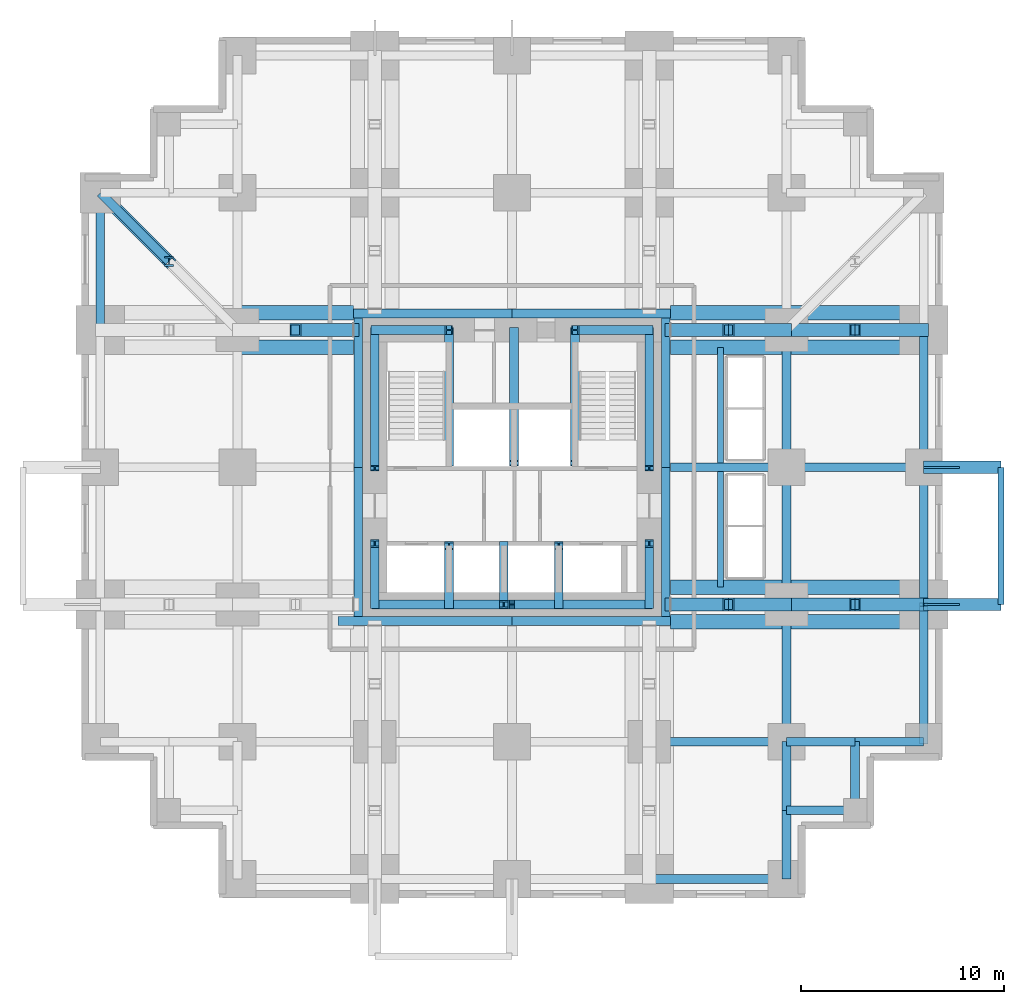
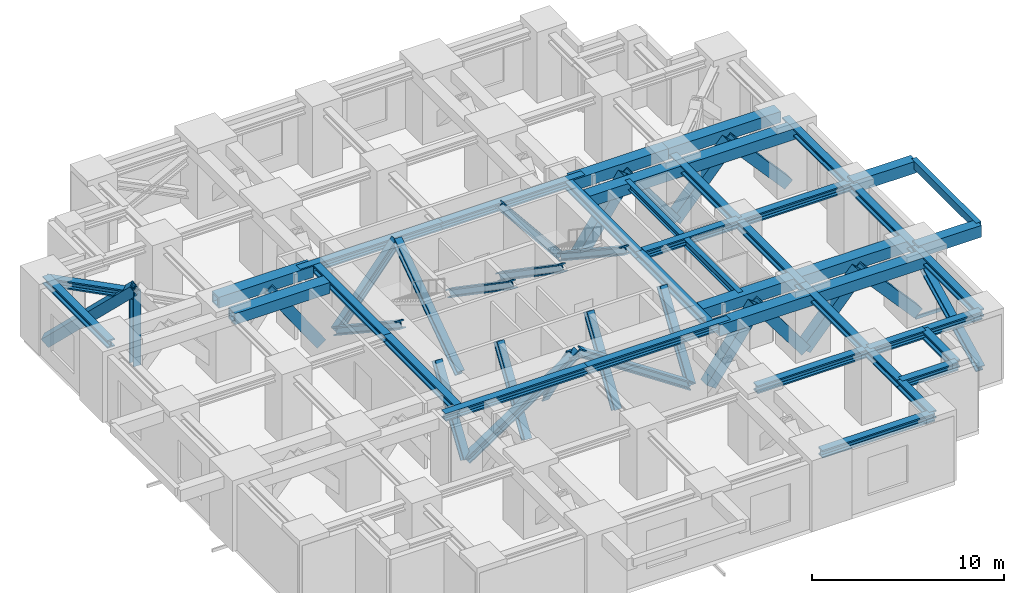
# One storey, part 2 of 6: 40 beams, 29 members.
"""IFC4 building model written with IfcOpenShell, lengths in metres."""

from ifc_helpers import new_model, si_unit, direction, frame, origin, origin_2d, place, context, subcontext, project, spatial, rectangle, hollow_rectangle, i_section, extrude, material, material_profile, profile_set, type_object, element, save


model = new_model("IFC4")

# Units and contexts
model_context = context("Model", 3, precision=1e-05, world=origin(), true_north=direction((0.0, 1.0)))
body_context = subcontext(model_context, "Body", "Model", "MODEL_VIEW")
ifc_project = project(units=[si_unit("LENGTHUNIT", "METRE"), si_unit("AREAUNIT", "SQUARE_METRE"), si_unit("VOLUMEUNIT", "CUBIC_METRE"), si_unit("PLANEANGLEUNIT", "RADIAN"), si_unit("MASSUNIT", "GRAM", prefix="KILO")], contexts=[model_context])

# Site, building, storey
site_placement = place(None, origin())
site = spatial("IfcSite", under=ifc_project, at=site_placement, CompositionType="ELEMENT")
building_placement = place(site_placement, origin())
building = spatial("IfcBuilding", under=site, at=building_placement, Name="Nyansa Garden Tower", CompositionType="ELEMENT")
storey_placement = place(building_placement, frame((0.0, 0.0, 75.60009765625)))
storey = spatial("IfcBuildingStorey", under=building, at=storey_placement, Name="L20", CompositionType="ELEMENT", Elevation=75.60009765625)

# Beams
ifc_material_1 = material(Name="Concrete C70/85", Category="concrete")
ifc_material_profile_1 = material_profile(ifc_material_1, rectangle(XDim=0.60009765625, YDim=0.75, at=origin_2d()), Name="RC 600x750")
ifc_profile_set_1 = profile_set([ifc_material_profile_1], Name="Concrete C70/85")
beam_type_1 = type_object("IfcBeamType", Name="Balcony cantilever beam CB1 RC 600x750", PredefinedType="BEAM", material=ifc_profile_set_1)
for number, where, z_axis, x_axis, name in (
    (1, (40.5, 13.5, 3.885009765625), (1.0, 0.0, 0.0), (0.0, 1.0, 0.0), "Balcony cantilever beam L21"),
    (2, (40.5, 20.25, 3.885009765625), (1.0, 0.0, 0.0), (0.0, 1.0, 0.0), "Balcony cantilever beam L21"),
):
    element("IfcBeam", number, at=place(storey_placement, frame(where, z_axis=z_axis, x_axis=x_axis)), inside=storey, type_object=beam_type_1, Name=name, PredefinedType="BEAM", context=body_context, shape_type="SweptSolid", body=[
        extrude(rectangle(XDim=0.60009765625, YDim=0.75, at=origin_2d()), origin(), (0.0, 0.0, 1.0), 3.800048828125),
    ])
ifc_material_2 = material(Name="Concrete C70/85", Category="concrete")
ifc_material_profile_2 = material_profile(ifc_material_2, rectangle(XDim=0.300048828125, YDim=0.5, at=origin_2d()), Name="RC 300x500")
ifc_profile_set_2 = profile_set([ifc_material_profile_2], Name="Concrete C70/85")
beam_type_2 = type_object("IfcBeamType", Name="Balcony edge beam BE1 RC 300x500", PredefinedType="BEAM", material=ifc_profile_set_2)
beam_1_placement = place(storey_placement, frame((44.300048828125, 13.5, 4.010009765625), z_axis=(0.0, 1.0, 0.0), x_axis=(-1.0, 0.0, 0.0)))
element("IfcBeam", 3, at=beam_1_placement, inside=storey, type_object=beam_type_2, Name="Balcony edge beam L21", PredefinedType="BEAM", context=body_context, shape_type="SweptSolid", body=[
    extrude(rectangle(XDim=0.300048828125, YDim=0.5, at=origin_2d()), origin(), (0.0, 0.0, 1.0), 6.75),
])

# Members
ifc_material_3 = material(Name="Steel S355, black powder coated", Category="steel")
ifc_material_profile_3 = material_profile(ifc_material_3, hollow_rectangle(XDim=0.10009765625, YDim=0.199951171875, WallThickness=0.008056640625, at=origin_2d()), Name="RHS 200x100x8")
ifc_profile_set_3 = profile_set([ifc_material_profile_3], Name="Steel S355, black powder coated")
member_type_1 = type_object("IfcMemberType", Name="Outer skin bracket arm RHS 200x100x8", PredefinedType="USERDEFINED", material=ifc_profile_set_3)
for number, where, z_axis, x_axis, name in (
    (4, (40.5, 13.5, -0.4501953125), (1.0, 0.0, 0.0), (0.0, 1.0, 0.0), "Outer skin bracket arm"),
    (5, (40.5, 20.25, -0.4501953125), (1.0, 0.0, 0.0), (0.0, 1.0, 0.0), "Outer skin bracket arm"),
):
    element("IfcMember", number, at=place(storey_placement, frame(where, z_axis=z_axis, x_axis=x_axis)), inside=storey, type_object=member_type_1, Name=name, ObjectType="OUTER SKIN BRACKET", PredefinedType="USERDEFINED", context=body_context, shape_type="SweptSolid", body=[
        extrude(hollow_rectangle(XDim=0.10009765625, YDim=0.199951171875, WallThickness=0.008056640625, at=origin_2d()), origin(), (0.0, 0.0, 1.0), 1.75),
    ])

# Beams
ifc_material_4 = material(Name="Steel S355", Category="steel")
ifc_material_profile_4 = material_profile(ifc_material_4, hollow_rectangle(XDim=0.699951171875, YDim=0.699951171875, WallThickness=0.110107421875, at=origin_2d()), Name="Welded box 700x700x110")
ifc_profile_set_4 = profile_set([ifc_material_profile_4], Name="Steel S355")
beam_type_3 = type_object("IfcBeamType", Name="Outrigger chord OC2 welded box 700x700x110 S355", PredefinedType="BEAM", material=ifc_profile_set_4)
for number, where, z_axis, x_axis, name in (
    (6, (6.75, 27.85009765625, 3.7998046875), (1.0, 0.0, 0.0), (0.0, 1.0, 0.0), "Beam 3/H-12.450/H L21 a"),
    (7, (6.75, 26.14990234375, 3.7998046875), (1.0, 0.0, 0.0), (0.0, 1.0, 0.0), "Beam 3/H-12.450/H L21 b"),
    (8, (28.050048828125, 14.35009765625, 3.7998046875), (1.0, 0.0, 0.0), (0.0, 1.0, 0.0), "Beam 28.050/F-7/F L21 a"),
    (9, (28.050048828125, 12.64990234375, 3.7998046875), (1.0, 0.0, 0.0), (0.0, 1.0, 0.0), "Beam 28.050/F-7/F L21 b"),
    (10, (28.050048828125, 27.85009765625, 3.7998046875), (1.0, 0.0, 0.0), (0.0, 1.0, 0.0), "Beam 28.050/H-7/H L21 a"),
    (11, (28.050048828125, 26.14990234375, 3.7998046875), (1.0, 0.0, 0.0), (0.0, 1.0, 0.0), "Beam 28.050/H-7/H L21 b"),
):
    element("IfcBeam", number, at=place(storey_placement, frame(where, z_axis=z_axis, x_axis=x_axis)), inside=storey, type_object=beam_type_3, Name=name, PredefinedType="BEAM", context=body_context, shape_type="SweptSolid", body=[
        extrude(hollow_rectangle(XDim=0.699951171875, YDim=0.699951171875, WallThickness=0.110107421875, at=origin_2d()), origin(), (0.0, 0.0, 1.0), 5.699951171875),
    ])
for number, where, z_axis, x_axis, name in (
    (12, (33.75, 14.35009765625, 3.7998046875), (1.0, 0.0, 0.0), (0.0, 1.0, 0.0), "Beam 7/F-8/F L21 a"),
    (13, (33.75, 12.64990234375, 3.7998046875), (1.0, 0.0, 0.0), (0.0, 1.0, 0.0), "Beam 7/F-8/F L21 b"),
    (14, (33.75, 27.85009765625, 3.7998046875), (1.0, 0.0, 0.0), (0.0, 1.0, 0.0), "Beam 7/H-8/H L21 a"),
    (15, (33.75, 26.14990234375, 3.7998046875), (1.0, 0.0, 0.0), (0.0, 1.0, 0.0), "Beam 7/H-8/H L21 b"),
):
    element("IfcBeam", number, at=place(storey_placement, frame(where, z_axis=z_axis, x_axis=x_axis)), inside=storey, type_object=beam_type_3, Name=name, PredefinedType="BEAM", context=body_context, shape_type="SweptSolid", body=[
        extrude(hollow_rectangle(XDim=0.699951171875, YDim=0.699951171875, WallThickness=0.110107421875, at=origin_2d()), origin(), (0.0, 0.0, 1.0), 6.75),
    ])

# Members
ifc_material_5 = material(Name="Steel S355", Category="steel")
ifc_material_profile_5 = material_profile(ifc_material_5, hollow_rectangle(XDim=0.64990234375, YDim=0.64990234375, WallThickness=0.070068359375, at=origin_2d()), Name="Welded box 650x650x70")
ifc_profile_set_5 = profile_set([ifc_material_profile_5], Name="Steel S355")
member_type_2 = type_object("IfcMemberType", Name="Outrigger truss diagonal OT3 welded box 650x650x70 S355", PredefinedType="BRACE", material=ifc_profile_set_5)
for number, where, z_axis, x_axis, name in (
    (16, (12.449951171875, 27.0, -0.300048828125), (-0.570765031225, 0.0, 0.82111343865), (0.0, -1.0, 0.0), "Outrigger truss diagonal L20 6.2b"),
    (17, (28.050048828125, 13.5, -0.300048828125), (0.570765031225, 0.0, 0.82111343865), (0.0, 1.0, 0.0), "Outrigger truss diagonal L20 7.1a"),
):
    element("IfcMember", number, at=place(storey_placement, frame(where, z_axis=z_axis, x_axis=x_axis)), inside=storey, type_object=member_type_2, Name=name, PredefinedType="BRACE", context=body_context, shape_type="SweptSolid", body=[
        extrude(hollow_rectangle(XDim=0.64990234375, YDim=0.64990234375, WallThickness=0.070068359375, at=origin_2d()), origin(), (0.0, 0.0, 1.0), 4.992919921875),
    ])
member_1_placement = place(storey_placement, frame((33.75, 13.5, 0.0), z_axis=(-0.600032894906, 0.0, 0.799975327764), x_axis=(0.0, -1.0, 0.0)))
element("IfcMember", 18, at=member_1_placement, inside=storey, type_object=member_type_2, Name="Outrigger truss diagonal L20 7.1b", PredefinedType="BRACE", context=body_context, shape_type="SweptSolid", body=[
    extrude(hollow_rectangle(XDim=0.64990234375, YDim=0.64990234375, WallThickness=0.070068359375, at=origin_2d()), origin(), (0.0, 0.0, 1.0), 4.75),
])
for number, where, z_axis, x_axis, name in (
    (19, (33.75, 13.5, 0.0), (0.664077549785, 0.0, 0.747663699715), (0.0, 1.0, 0.0), "Outrigger truss diagonal L20 7.2a"),
    (20, (40.5, 13.5, 0.0), (-0.664077549785, 0.0, 0.747663699715), (0.0, -1.0, 0.0), "Outrigger truss diagonal L20 7.2b"),
):
    element("IfcMember", number, at=place(storey_placement, frame(where, z_axis=z_axis, x_axis=x_axis)), inside=storey, type_object=member_type_2, Name=name, PredefinedType="BRACE", context=body_context, shape_type="SweptSolid", body=[
        extrude(hollow_rectangle(XDim=0.64990234375, YDim=0.64990234375, WallThickness=0.070068359375, at=origin_2d()), origin(), (0.0, 0.0, 1.0), 5.082275390625),
    ])
member_2_placement = place(storey_placement, frame((28.050048828125, 27.0, -0.300048828125), z_axis=(0.570765031225, 0.0, 0.82111343865), x_axis=(0.0, 1.0, 0.0)))
element("IfcMember", 21, at=member_2_placement, inside=storey, type_object=member_type_2, Name="Outrigger truss diagonal L20 8.1a", PredefinedType="BRACE", context=body_context, shape_type="SweptSolid", body=[
    extrude(hollow_rectangle(XDim=0.64990234375, YDim=0.64990234375, WallThickness=0.070068359375, at=origin_2d()), origin(), (0.0, 0.0, 1.0), 4.992919921875),
])
member_3_placement = place(storey_placement, frame((33.75, 27.0, 0.0), z_axis=(-0.600032894906, 0.0, 0.799975327764), x_axis=(0.0, -1.0, 0.0)))
element("IfcMember", 22, at=member_3_placement, inside=storey, type_object=member_type_2, Name="Outrigger truss diagonal L20 8.1b", PredefinedType="BRACE", context=body_context, shape_type="SweptSolid", body=[
    extrude(hollow_rectangle(XDim=0.64990234375, YDim=0.64990234375, WallThickness=0.070068359375, at=origin_2d()), origin(), (0.0, 0.0, 1.0), 4.75),
])
for number, where, z_axis, x_axis, name in (
    (23, (33.75, 27.0, 0.0), (0.664077549785, 0.0, 0.747663699715), (0.0, 1.0, 0.0), "Outrigger truss diagonal L20 8.2a"),
    (24, (40.5, 27.0, 0.0), (-0.664077549785, 0.0, 0.747663699715), (0.0, -1.0, 0.0), "Outrigger truss diagonal L20 8.2b"),
):
    element("IfcMember", number, at=place(storey_placement, frame(where, z_axis=z_axis, x_axis=x_axis)), inside=storey, type_object=member_type_2, Name=name, PredefinedType="BRACE", context=body_context, shape_type="SweptSolid", body=[
        extrude(hollow_rectangle(XDim=0.64990234375, YDim=0.64990234375, WallThickness=0.070068359375, at=origin_2d()), origin(), (0.0, 0.0, 1.0), 5.082275390625),
    ])
ifc_material_6 = material(Name="Steel S355", Category="steel")
ifc_material_profile_6 = material_profile(ifc_material_6, i_section(OverallWidth=0.424072265625, OverallDepth=0.47412109375, WebThickness=0.047607421875, FlangeThickness=0.076904296875, FilletRadius=0.014892578125, at=origin_2d()), Name="HD 400x634")
ifc_profile_set_6 = profile_set([ifc_material_profile_6], Name="Steel S355")
member_type_3 = type_object("IfcMemberType", Name="Perimeter brace HD 400x634", PredefinedType="BRACE", material=ifc_profile_set_6)
for number, where, z_axis, x_axis, name in (
    (25, (13.5, 13.5, 0.0), (0.832050294338, 0.0, 0.554700196225), (0.0, 1.0, 0.0), "Core brace CS1 L20"),
    (26, (27.0, 13.5, 0.0), (-0.832050294338, 0.0, 0.554700196225), (0.0, -1.0, 0.0), "Core brace CS2 L20"),
):
    element("IfcMember", number, at=place(storey_placement, frame(where, z_axis=z_axis, x_axis=x_axis)), inside=storey, type_object=member_type_3, Name=name, PredefinedType="BRACE", context=body_context, shape_type="SweptSolid", body=[
        extrude(i_section(OverallWidth=0.424072265625, OverallDepth=0.47412109375, WebThickness=0.047607421875, FlangeThickness=0.076904296875, FilletRadius=0.014892578125, at=origin_2d()), origin(), (0.0, 0.0, 1.0), 8.112548828125),
    ])
for number, where, z_axis, x_axis, name in (
    (27, (13.5, 27.0, 0.0), (0.629932498557, 0.0, 0.776649887184), (0.0, 1.0, 0.0), "Core brace CN3 L20"),
    (28, (27.0, 27.0, 0.0), (-0.629932498557, 0.0, 0.776649887184), (0.0, -1.0, 0.0), "Core brace CN4 L20"),
):
    element("IfcMember", number, at=place(storey_placement, frame(where, z_axis=z_axis, x_axis=x_axis)), inside=storey, type_object=member_type_3, Name=name, PredefinedType="BRACE", context=body_context, shape_type="SweptSolid", body=[
        extrude(i_section(OverallWidth=0.424072265625, OverallDepth=0.47412109375, WebThickness=0.047607421875, FlangeThickness=0.076904296875, FilletRadius=0.014892578125, at=origin_2d()), origin(), (0.0, 0.0, 1.0), 5.794189453125),
    ])
member_4_placement = place(storey_placement, frame((13.5, 13.5, 0.0), z_axis=(0.0, 0.554700196225, 0.832050294338), x_axis=(-1.0, 0.0, 0.0)))
element("IfcMember", 29, at=member_4_placement, inside=storey, type_object=member_type_3, Name="Core brace CW5 L20", PredefinedType="BRACE", context=body_context, shape_type="SweptSolid", body=[
    extrude(i_section(OverallWidth=0.424072265625, OverallDepth=0.47412109375, WebThickness=0.047607421875, FlangeThickness=0.076904296875, FilletRadius=0.014892578125, at=origin_2d()), origin(), (0.0, 0.0, 1.0), 5.408447265625),
])
member_5_placement = place(storey_placement, frame((13.5, 27.0, 0.0), z_axis=(0.0, -0.833934029443, 0.551864145), x_axis=(1.0, 0.0, 0.0)))
element("IfcMember", 30, at=member_5_placement, inside=storey, type_object=member_type_3, Name="Core brace CW6 L20", PredefinedType="BRACE", context=body_context, shape_type="SweptSolid", body=[
    extrude(i_section(OverallWidth=0.424072265625, OverallDepth=0.47412109375, WebThickness=0.047607421875, FlangeThickness=0.076904296875, FilletRadius=0.014892578125, at=origin_2d()), origin(), (0.0, 0.0, 1.0), 8.154296875),
])
member_6_placement = place(storey_placement, frame((27.0, 13.5, 0.0), z_axis=(0.0, 0.554700196225, 0.832050294338), x_axis=(-1.0, 0.0, 0.0)))
element("IfcMember", 31, at=member_6_placement, inside=storey, type_object=member_type_3, Name="Core brace CE7 L20", PredefinedType="BRACE", context=body_context, shape_type="SweptSolid", body=[
    extrude(i_section(OverallWidth=0.424072265625, OverallDepth=0.47412109375, WebThickness=0.047607421875, FlangeThickness=0.076904296875, FilletRadius=0.014892578125, at=origin_2d()), origin(), (0.0, 0.0, 1.0), 5.408447265625),
])
member_7_placement = place(storey_placement, frame((27.0, 27.0, 0.0), z_axis=(0.0, -0.833934029443, 0.551864145), x_axis=(1.0, 0.0, 0.0)))
element("IfcMember", 32, at=member_7_placement, inside=storey, type_object=member_type_3, Name="Core brace CE8 L20", PredefinedType="BRACE", context=body_context, shape_type="SweptSolid", body=[
    extrude(i_section(OverallWidth=0.424072265625, OverallDepth=0.47412109375, WebThickness=0.047607421875, FlangeThickness=0.076904296875, FilletRadius=0.014892578125, at=origin_2d()), origin(), (0.0, 0.0, 1.0), 8.154296875),
])
for number, where, z_axis, x_axis, name in (
    (33, (17.14990234375, 20.449951171875, 0.0), (0.0, 0.824227431411, 0.566258899541), (-1.0, 0.0, 0.0), "Core brace CWS9 L20"),
    (34, (23.35009765625, 27.0, 0.0), (0.0, -0.824227431411, 0.566258899541), (1.0, 0.0, 0.0), "Core brace CES10 L20"),
):
    element("IfcMember", number, at=place(storey_placement, frame(where, z_axis=z_axis, x_axis=x_axis)), inside=storey, type_object=member_type_3, Name=name, PredefinedType="BRACE", context=body_context, shape_type="SweptSolid", body=[
        extrude(i_section(OverallWidth=0.424072265625, OverallDepth=0.47412109375, WebThickness=0.047607421875, FlangeThickness=0.076904296875, FilletRadius=0.014892578125, at=origin_2d()), origin(), (0.0, 0.0, 1.0), 7.94677734375),
    ])
for number, where, z_axis, x_axis, name in (
    (35, (17.14990234375, 13.5, 0.0), (0.0, 0.541688444786, 0.84057934116), (-1.0, 0.0, 0.0), "Core brace CSW11 L20"),
    (36, (19.85009765625, 16.39990234375, 0.0), (0.0, -0.541688444786, 0.84057934116), (1.0, 0.0, 0.0), "Core brace CSW12 L20"),
    (37, (22.550048828125, 13.5, 0.0), (0.0, 0.541688444786, 0.84057934116), (-1.0, 0.0, 0.0), "Core brace CSW13 L20"),
):
    element("IfcMember", number, at=place(storey_placement, frame(where, z_axis=z_axis, x_axis=x_axis)), inside=storey, type_object=member_type_3, Name=name, PredefinedType="BRACE", context=body_context, shape_type="SweptSolid", body=[
        extrude(i_section(OverallWidth=0.424072265625, OverallDepth=0.47412109375, WebThickness=0.047607421875, FlangeThickness=0.076904296875, FilletRadius=0.014892578125, at=origin_2d()), origin(), (0.0, 0.0, 1.0), 5.353515625),
    ])
member_8_placement = place(storey_placement, frame((20.35009765625, 27.0, 0.0), z_axis=(0.0, -0.824227431411, 0.566258899541), x_axis=(1.0, 0.0, 0.0)))
element("IfcMember", 38, at=member_8_placement, inside=storey, type_object=member_type_3, Name="Core brace CNW14 L20", PredefinedType="BRACE", context=body_context, shape_type="SweptSolid", body=[
    extrude(i_section(OverallWidth=0.424072265625, OverallDepth=0.47412109375, WebThickness=0.047607421875, FlangeThickness=0.076904296875, FilletRadius=0.014892578125, at=origin_2d()), origin(), (0.0, 0.0, 1.0), 7.94677734375),
])
member_9_placement = place(storey_placement, frame((40.5, 6.75, 0.39990234375), z_axis=(0.0, 0.893105356343, 0.449847554703), x_axis=(-1.0, 0.0, 0.0)))
element("IfcMember", 39, at=member_9_placement, inside=storey, type_object=member_type_3, Name="Perimeter brace E1 L20", PredefinedType="BRACE", context=body_context, shape_type="SweptSolid", body=[
    extrude(i_section(OverallWidth=0.424072265625, OverallDepth=0.47412109375, WebThickness=0.047607421875, FlangeThickness=0.076904296875, FilletRadius=0.014892578125, at=origin_2d()), origin(), (0.0, 0.0, 1.0), 7.557861328125),
])

# Beams
ifc_material_7 = material(Name="Steel S355", Category="steel")
ifc_material_profile_7 = material_profile(ifc_material_7, i_section(OverallWidth=0.431884765625, OverallDepth=0.498046875, WebThickness=0.0556640625, FlangeThickness=0.0888671875, FilletRadius=0.014892578125, at=origin_2d()), Name="HD 400x744")
ifc_profile_set_7 = profile_set([ifc_material_profile_7], Name="Steel S355")
beam_type_4 = type_object("IfcBeamType", Name="Steel beam SBA2-744 HD 400x744", PredefinedType="BEAM", material=ifc_profile_set_7)
beam_2_placement = place(storey_placement, frame((27.0, 6.75, 3.90087890625), z_axis=(1.0, 0.0, 0.0), x_axis=(0.0, 1.0, 0.0)))
element("IfcBeam", 40, at=beam_2_placement, inside=storey, type_object=beam_type_4, Name="Steel beam 6/E-7/E L21", PredefinedType="BEAM", context=body_context, shape_type="SweptSolid", body=[
    extrude(i_section(OverallWidth=0.431884765625, OverallDepth=0.498046875, WebThickness=0.0556640625, FlangeThickness=0.0888671875, FilletRadius=0.014892578125, at=origin_2d()), origin(), (0.0, 0.0, 1.0), 6.75),
])
beam_3_placement = place(storey_placement, frame((28.050048828125, 20.25, 3.90087890625), z_axis=(1.0, 0.0, 0.0), x_axis=(0.0, 1.0, 0.0)))
element("IfcBeam", 41, at=beam_3_placement, inside=storey, type_object=beam_type_4, Name="Steel beam 28.050/G-7/G L21", PredefinedType="BEAM", context=body_context, shape_type="SweptSolid", body=[
    extrude(i_section(OverallWidth=0.431884765625, OverallDepth=0.498046875, WebThickness=0.0556640625, FlangeThickness=0.0888671875, FilletRadius=0.014892578125, at=origin_2d()), origin(), (0.0, 0.0, 1.0), 5.699951171875),
])
beam_4_placement = place(storey_placement, frame((33.75, 3.375, 3.90087890625), z_axis=(0.0, 1.0, 0.0), x_axis=(-1.0, 0.0, 0.0)))
element("IfcBeam", 42, at=beam_4_placement, inside=storey, type_object=beam_type_4, Name="Steel beam 7/3.375-7/E L21", PredefinedType="BEAM", context=body_context, shape_type="SweptSolid", body=[
    extrude(i_section(OverallWidth=0.431884765625, OverallDepth=0.498046875, WebThickness=0.0556640625, FlangeThickness=0.0888671875, FilletRadius=0.014892578125, at=origin_2d()), origin(), (0.0, 0.0, 1.0), 3.375),
])
beam_5_placement = place(storey_placement, frame((33.75, 6.75, 3.90087890625), z_axis=(0.0, 1.0, 0.0), x_axis=(-1.0, 0.0, 0.0)))
element("IfcBeam", 43, at=beam_5_placement, inside=storey, type_object=beam_type_4, Name="Steel beam 7/E-7/F L21", PredefinedType="BEAM", context=body_context, shape_type="SweptSolid", body=[
    extrude(i_section(OverallWidth=0.431884765625, OverallDepth=0.498046875, WebThickness=0.0556640625, FlangeThickness=0.0888671875, FilletRadius=0.014892578125, at=origin_2d()), origin(), (0.0, 0.0, 1.0), 6.75),
])
beam_6_placement = place(storey_placement, frame((33.75, 6.75, 3.90087890625), z_axis=(1.0, 0.0, 0.0), x_axis=(0.0, 1.0, 0.0)))
element("IfcBeam", 44, at=beam_6_placement, inside=storey, type_object=beam_type_4, Name="Steel beam 7/E-37.125/E L21", PredefinedType="BEAM", context=body_context, shape_type="SweptSolid", body=[
    extrude(i_section(OverallWidth=0.431884765625, OverallDepth=0.498046875, WebThickness=0.0556640625, FlangeThickness=0.0888671875, FilletRadius=0.014892578125, at=origin_2d()), origin(), (0.0, 0.0, 1.0), 3.375),
])
for number, where, z_axis, x_axis, name in (
    (45, (33.75, 13.5, 3.90087890625), (0.0, 1.0, 0.0), (-1.0, 0.0, 0.0), "Steel beam 7/F-7/G L21"),
    (46, (33.75, 20.25, 3.90087890625), (0.0, 1.0, 0.0), (-1.0, 0.0, 0.0), "Steel beam 7/G-7/H L21"),
    (47, (33.75, 20.25, 3.90087890625), (1.0, 0.0, 0.0), (0.0, 1.0, 0.0), "Steel beam 7/G-8/G L21"),
):
    element("IfcBeam", number, at=place(storey_placement, frame(where, z_axis=z_axis, x_axis=x_axis)), inside=storey, type_object=beam_type_4, Name=name, PredefinedType="BEAM", context=body_context, shape_type="SweptSolid", body=[
        extrude(i_section(OverallWidth=0.431884765625, OverallDepth=0.498046875, WebThickness=0.0556640625, FlangeThickness=0.0888671875, FilletRadius=0.014892578125, at=origin_2d()), origin(), (0.0, 0.0, 1.0), 6.75),
    ])
ifc_material_8 = material(Name="Steel S355", Category="steel")
ifc_material_profile_8 = material_profile(ifc_material_8, i_section(OverallWidth=0.431884765625, OverallDepth=0.498046875, WebThickness=0.0556640625, FlangeThickness=0.0888671875, FilletRadius=0.014892578125, at=origin_2d()), Name="HD 400x744")
ifc_profile_set_8 = profile_set([ifc_material_profile_8], Name="Steel S355")
beam_type_5 = type_object("IfcBeamType", Name="Steel beam SEBA-744 HD 400x744", PredefinedType="BEAM", material=ifc_profile_set_8)
for number, where, z_axis, x_axis, name in (
    (48, (0.0, 27.0, 3.90087890625), (0.0, 1.0, 0.0), (-1.0, 0.0, 0.0), "Steel edge beam 2/H-2/J L21"),
    (49, (27.0, 0.0, 3.90087890625), (1.0, 0.0, 0.0), (0.0, 1.0, 0.0), "Steel edge beam 6/D-7/D L21"),
    (50, (40.5, 6.75, 3.90087890625), (0.0, 1.0, 0.0), (-1.0, 0.0, 0.0), "Steel edge beam 8/E-8/F L21"),
    (51, (40.5, 13.5, 3.90087890625), (0.0, 1.0, 0.0), (-1.0, 0.0, 0.0), "Steel edge beam 8/F-8/G L21"),
    (52, (40.5, 20.25, 3.90087890625), (0.0, 1.0, 0.0), (-1.0, 0.0, 0.0), "Steel edge beam 8/G-8/H L21"),
):
    element("IfcBeam", number, at=place(storey_placement, frame(where, z_axis=z_axis, x_axis=x_axis)), inside=storey, type_object=beam_type_5, Name=name, PredefinedType="BEAM", context=body_context, shape_type="SweptSolid", body=[
        extrude(i_section(OverallWidth=0.431884765625, OverallDepth=0.498046875, WebThickness=0.0556640625, FlangeThickness=0.0888671875, FilletRadius=0.014892578125, at=origin_2d()), origin(), (0.0, 0.0, 1.0), 6.75),
    ])
ifc_material_9 = material(Name="Steel S355", Category="steel")
ifc_material_profile_9 = material_profile(ifc_material_9, i_section(OverallWidth=0.431884765625, OverallDepth=0.498046875, WebThickness=0.0556640625, FlangeThickness=0.0888671875, FilletRadius=0.014892578125, at=origin_2d()), Name="HD 400x744")
ifc_profile_set_9 = profile_set([ifc_material_profile_9], Name="Steel S355")
beam_type_6 = type_object("IfcBeamType", Name="Steel beam SEBA2-744 HD 400x744", PredefinedType="BEAM", material=ifc_profile_set_9)
for number, where, z_axis, x_axis, name in (
    (53, (33.75, 0.0, 3.90087890625), (0.0, 1.0, 0.0), (-1.0, 0.0, 0.0), "Steel edge beam 7/D-7/3.375 L21"),
    (54, (37.125, 6.75, 3.90087890625), (1.0, 0.0, 0.0), (0.0, 1.0, 0.0), "Steel edge beam 37.125/E-8/E L21"),
):
    element("IfcBeam", number, at=place(storey_placement, frame(where, z_axis=z_axis, x_axis=x_axis)), inside=storey, type_object=beam_type_6, Name=name, PredefinedType="BEAM", context=body_context, shape_type="SweptSolid", body=[
        extrude(i_section(OverallWidth=0.431884765625, OverallDepth=0.498046875, WebThickness=0.0556640625, FlangeThickness=0.0888671875, FilletRadius=0.014892578125, at=origin_2d()), origin(), (0.0, 0.0, 1.0), 3.375),
    ])
ifc_material_10 = material(Name="Steel S355", Category="steel")
ifc_material_profile_10 = material_profile(ifc_material_10, i_section(OverallWidth=0.431884765625, OverallDepth=0.498046875, WebThickness=0.0556640625, FlangeThickness=0.0888671875, FilletRadius=0.014892578125, at=origin_2d()), Name="HD 400x744")
ifc_profile_set_10 = profile_set([ifc_material_profile_10], Name="Steel S355")
beam_type_7 = type_object("IfcBeamType", Name="Steel beam SLB2-744 HD 400x744", PredefinedType="BEAM", material=ifc_profile_set_10)
for number, where, z_axis, x_axis, name in (
    (55, (11.699951171875, 12.68408203125, 3.90087890625), (1.0, 0.0, 0.0), (0.0, 1.0, 0.0), "Steel core ledger beam S.1 L21"),
    (56, (20.25, 12.68408203125, 3.90087890625), (1.0, 0.0, 0.0), (0.0, 1.0, 0.0), "Steel core ledger beam S.2 L21"),
):
    element("IfcBeam", number, at=place(storey_placement, frame(where, z_axis=z_axis, x_axis=x_axis)), inside=storey, type_object=beam_type_7, Name=name, PredefinedType="BEAM", context=body_context, shape_type="SweptSolid", body=[
        extrude(i_section(OverallWidth=0.431884765625, OverallDepth=0.498046875, WebThickness=0.0556640625, FlangeThickness=0.0888671875, FilletRadius=0.014892578125, at=origin_2d()), origin(), (0.0, 0.0, 1.0), 8.550048828125),
    ])
for number, where, z_axis, x_axis, name in (
    (57, (27.81591796875, 12.89990234375, 3.90087890625), (0.0, 1.0, 0.0), (-1.0, 0.0, 0.0), "Steel core ledger beam E.1 L21"),
    (58, (27.81591796875, 20.25, 3.90087890625), (0.0, 1.0, 0.0), (-1.0, 0.0, 0.0), "Steel core ledger beam E.2 L21"),
):
    element("IfcBeam", number, at=place(storey_placement, frame(where, z_axis=z_axis, x_axis=x_axis)), inside=storey, type_object=beam_type_7, Name=name, PredefinedType="BEAM", context=body_context, shape_type="SweptSolid", body=[
        extrude(i_section(OverallWidth=0.431884765625, OverallDepth=0.498046875, WebThickness=0.0556640625, FlangeThickness=0.0888671875, FilletRadius=0.014892578125, at=origin_2d()), origin(), (0.0, 0.0, 1.0), 7.35009765625),
    ])
for number, where, z_axis, x_axis, name in (
    (59, (28.800048828125, 27.81591796875, 3.90087890625), (-1.0, 0.0, 0.0), (0.0, -1.0, 0.0), "Steel core ledger beam N.1 L21"),
    (60, (20.25, 27.81591796875, 3.90087890625), (-1.0, 0.0, 0.0), (0.0, -1.0, 0.0), "Steel core ledger beam N.2 L21"),
):
    element("IfcBeam", number, at=place(storey_placement, frame(where, z_axis=z_axis, x_axis=x_axis)), inside=storey, type_object=beam_type_7, Name=name, PredefinedType="BEAM", context=body_context, shape_type="SweptSolid", body=[
        extrude(i_section(OverallWidth=0.431884765625, OverallDepth=0.498046875, WebThickness=0.0556640625, FlangeThickness=0.0888671875, FilletRadius=0.014892578125, at=origin_2d()), origin(), (0.0, 0.0, 1.0), 8.550048828125),
    ])
for number, where, z_axis, x_axis, name in (
    (61, (12.68408203125, 27.60009765625, 3.90087890625), (0.0, -1.0, 0.0), (1.0, 0.0, 0.0), "Steel core ledger beam W.1 L21"),
    (62, (12.68408203125, 20.25, 3.90087890625), (0.0, -1.0, 0.0), (1.0, 0.0, 0.0), "Steel core ledger beam W.2 L21"),
):
    element("IfcBeam", number, at=place(storey_placement, frame(where, z_axis=z_axis, x_axis=x_axis)), inside=storey, type_object=beam_type_7, Name=name, PredefinedType="BEAM", context=body_context, shape_type="SweptSolid", body=[
        extrude(i_section(OverallWidth=0.431884765625, OverallDepth=0.498046875, WebThickness=0.0556640625, FlangeThickness=0.0888671875, FilletRadius=0.014892578125, at=origin_2d()), origin(), (0.0, 0.0, 1.0), 7.35009765625),
    ])
ifc_material_11 = material(Name="Steel S355", Category="steel")
ifc_material_profile_11 = material_profile(ifc_material_11, i_section(OverallWidth=0.431884765625, OverallDepth=0.498046875, WebThickness=0.0556640625, FlangeThickness=0.0888671875, FilletRadius=0.014892578125, at=origin_2d()), Name="HD 400x744")
ifc_profile_set_11 = profile_set([ifc_material_profile_11], Name="Steel S355")
beam_type_8 = type_object("IfcBeamType", Name="Steel beam SSB1-744 HD 400x744", PredefinedType="BEAM", material=ifc_profile_set_11)
for number, where, z_axis, x_axis, name in (
    (63, (37.125, 3.375, 3.90087890625), (0.0, 1.0, 0.0), (-1.0, 0.0, 0.0), "Steel step beam 37.125/3.375 L21"),
    (64, (37.125, 3.375, 3.90087890625), (-1.0, 0.0, 0.0), (0.0, -1.0, 0.0), "Steel step beam 37.125/3.375 L21"),
):
    element("IfcBeam", number, at=place(storey_placement, frame(where, z_axis=z_axis, x_axis=x_axis)), inside=storey, type_object=beam_type_8, Name=name, PredefinedType="BEAM", context=body_context, shape_type="SweptSolid", body=[
        extrude(i_section(OverallWidth=0.431884765625, OverallDepth=0.498046875, WebThickness=0.0556640625, FlangeThickness=0.0888671875, FilletRadius=0.014892578125, at=origin_2d()), origin(), (0.0, 0.0, 1.0), 3.375),
    ])

# Members
ifc_material_12 = material(Name="Steel S355", Category="steel")
ifc_material_profile_12 = material_profile(ifc_material_12, hollow_rectangle(XDim=0.60009765625, YDim=0.60009765625, WallThickness=0.070068359375, at=origin_2d()), Name="Welded box 600x600x70")
ifc_profile_set_12 = profile_set([ifc_material_profile_12], Name="Steel S355")
member_type_4 = type_object("IfcMemberType", Name="Transfer truss diagonal TT4 welded box 600x600x70 S355", PredefinedType="BRACE", material=ifc_profile_set_12)
member_10_placement = place(storey_placement, frame((0.0, 33.75, 0.0), z_axis=(0.530849130986, -0.530849130986, 0.660604571785), x_axis=(0.707106781187, 0.707106781187, 0.0)))
element("IfcMember", 65, at=member_10_placement, inside=storey, type_object=member_type_4, Name="Transfer truss diagonal L21 3.375/30.375 a", PredefinedType="BRACE", context=body_context, shape_type="SweptSolid", body=[
    extrude(hollow_rectangle(XDim=0.60009765625, YDim=0.60009765625, WallThickness=0.070068359375, at=origin_2d()), origin(), (0.0, 0.0, 1.0), 6.357666015625),
])
ifc_material_13 = material(Name="Steel S355", Category="steel")
ifc_material_profile_13 = material_profile(ifc_material_13, i_section(OverallWidth=0.431884765625, OverallDepth=0.498046875, WebThickness=0.0556640625, FlangeThickness=0.0888671875, FilletRadius=0.014892578125, at=origin_2d()), Name="HD 400x744")
ifc_profile_set_13 = profile_set([ifc_material_profile_13], Name="Steel S355")
member_type_5 = type_object("IfcMemberType", Name="Transfer truss king post HD 400x744", PredefinedType="MEMBER", material=ifc_profile_set_13)
member_11_placement = place(storey_placement, frame((3.375, 30.375, -0.60009765625), z_axis=(0.0, 0.0, 1.0), x_axis=(1.0, 0.0, 0.0)))
element("IfcMember", 66, at=member_11_placement, inside=storey, type_object=member_type_5, Name="Transfer truss king post L21 3.375/30.375", PredefinedType="MEMBER", context=body_context, shape_type="SweptSolid", body=[
    extrude(i_section(OverallWidth=0.431884765625, OverallDepth=0.498046875, WebThickness=0.0556640625, FlangeThickness=0.0888671875, FilletRadius=0.014892578125, at=origin_2d()), origin(), (0.0, 0.0, 1.0), 4.75),
])
ifc_material_14 = material(Name="Steel S355", Category="steel")
ifc_material_profile_14 = material_profile(ifc_material_14, i_section(OverallWidth=0.431884765625, OverallDepth=0.498046875, WebThickness=0.0556640625, FlangeThickness=0.0888671875, FilletRadius=0.014892578125, at=origin_2d()), Name="HD 400x744")
ifc_profile_set_14 = profile_set([ifc_material_profile_14], Name="Steel S355")
member_type_6 = type_object("IfcMemberType", Name="Transfer truss tie HD 400x744", PredefinedType="MEMBER", material=ifc_profile_set_14)
member_12_placement = place(storey_placement, frame((0.0, 33.75, 3.849853515625), z_axis=(0.707106781187, -0.707106781187, 0.0), x_axis=(0.707106781187, 0.707106781187, 0.0)))
element("IfcMember", 67, at=member_12_placement, inside=storey, type_object=member_type_6, Name="Transfer truss tie L21 3.375/30.375 top a", PredefinedType="MEMBER", context=body_context, shape_type="SweptSolid", body=[
    extrude(i_section(OverallWidth=0.431884765625, OverallDepth=0.498046875, WebThickness=0.0556640625, FlangeThickness=0.0888671875, FilletRadius=0.014892578125, at=origin_2d()), origin(), (0.0, 0.0, 1.0), 4.77294921875),
])

# Beams
ifc_material_15 = material(Name="Steel S355", Category="steel")
ifc_material_profile_15 = material_profile(ifc_material_15, i_section(OverallWidth=0.300048828125, OverallDepth=0.39990234375, WebThickness=0.013427734375, FlangeThickness=0.02392578125, FilletRadius=0.027099609375, at=origin_2d()), Name="HE 400 B")
ifc_profile_set_15 = profile_set([ifc_material_profile_15], Name="Steel S355")
beam_type_9 = type_object("IfcBeamType", Name="Trimmer beam TR1 HE 400 B", PredefinedType="BEAM", material=ifc_profile_set_15)
beam_7_placement = place(storey_placement, frame((30.5, 20.466064453125, 3.949951171875), z_axis=(0.0, 1.0, 0.0), x_axis=(-1.0, 0.0, 0.0)))
element("IfcBeam", 68, at=beam_7_placement, inside=storey, type_object=beam_type_9, Name="Trimmer beam 2 L21", PredefinedType="BEAM", context=body_context, shape_type="SweptSolid", body=[
    extrude(i_section(OverallWidth=0.300048828125, OverallDepth=0.39990234375, WebThickness=0.013427734375, FlangeThickness=0.02392578125, FilletRadius=0.027099609375, at=origin_2d()), origin(), (0.0, 0.0, 1.0), 5.683837890625),
])
ifc_material_16 = material(Name="Steel S355", Category="steel")
ifc_material_profile_16 = material_profile(ifc_material_16, i_section(OverallWidth=0.300048828125, OverallDepth=0.5, WebThickness=0.014404296875, FlangeThickness=0.028076171875, FilletRadius=0.027099609375, at=origin_2d()), Name="HE 500 B")
ifc_profile_set_16 = profile_set([ifc_material_profile_16], Name="Steel S355")
beam_type_10 = type_object("IfcBeamType", Name="Trimmer beam TR2 HE 500 B", PredefinedType="BEAM", material=ifc_profile_set_16)
beam_8_placement = place(storey_placement, frame((30.5, 14.35009765625, 3.89990234375), z_axis=(0.0, 1.0, 0.0), x_axis=(-1.0, 0.0, 0.0)))
element("IfcBeam", 69, at=beam_8_placement, inside=storey, type_object=beam_type_10, Name="Trimmer beam 1 L21", PredefinedType="BEAM", context=body_context, shape_type="SweptSolid", body=[
    extrude(i_section(OverallWidth=0.300048828125, OverallDepth=0.5, WebThickness=0.014404296875, FlangeThickness=0.028076171875, FilletRadius=0.027099609375, at=origin_2d()), origin(), (0.0, 0.0, 1.0), 5.683837890625),
])

save(model, "model.ifc")
